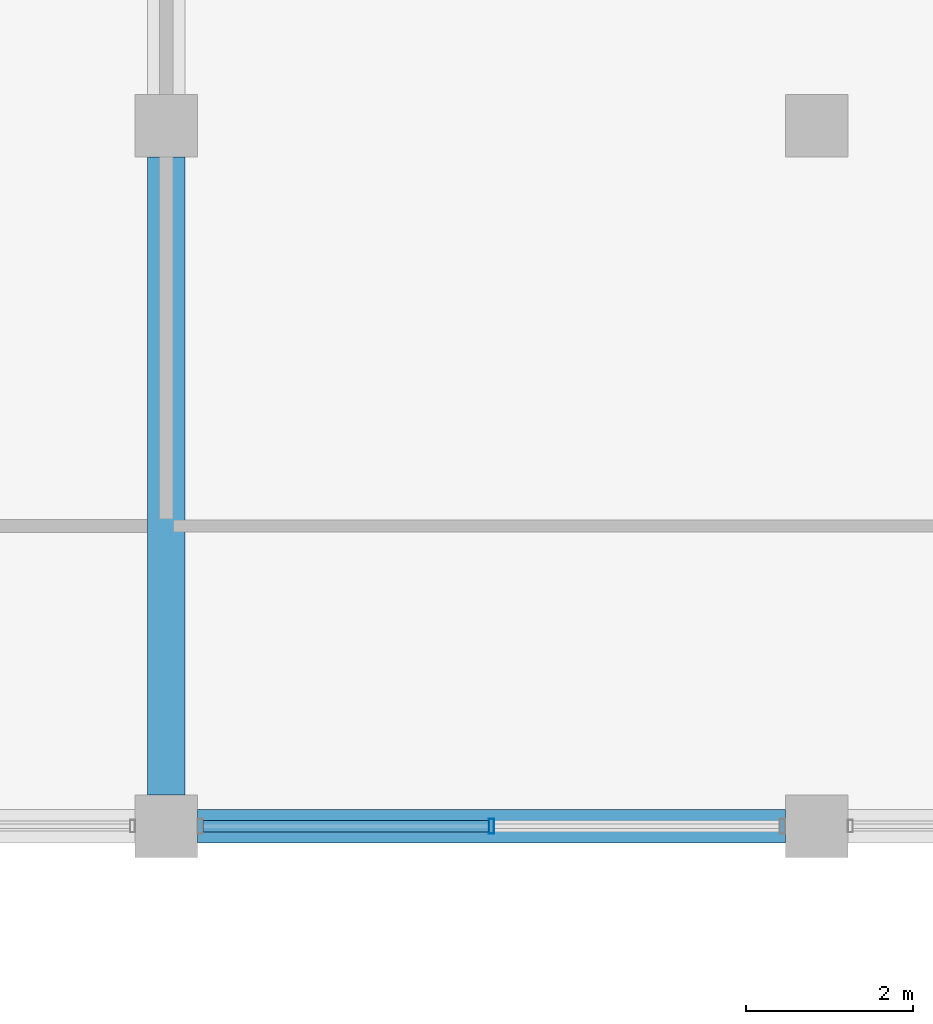
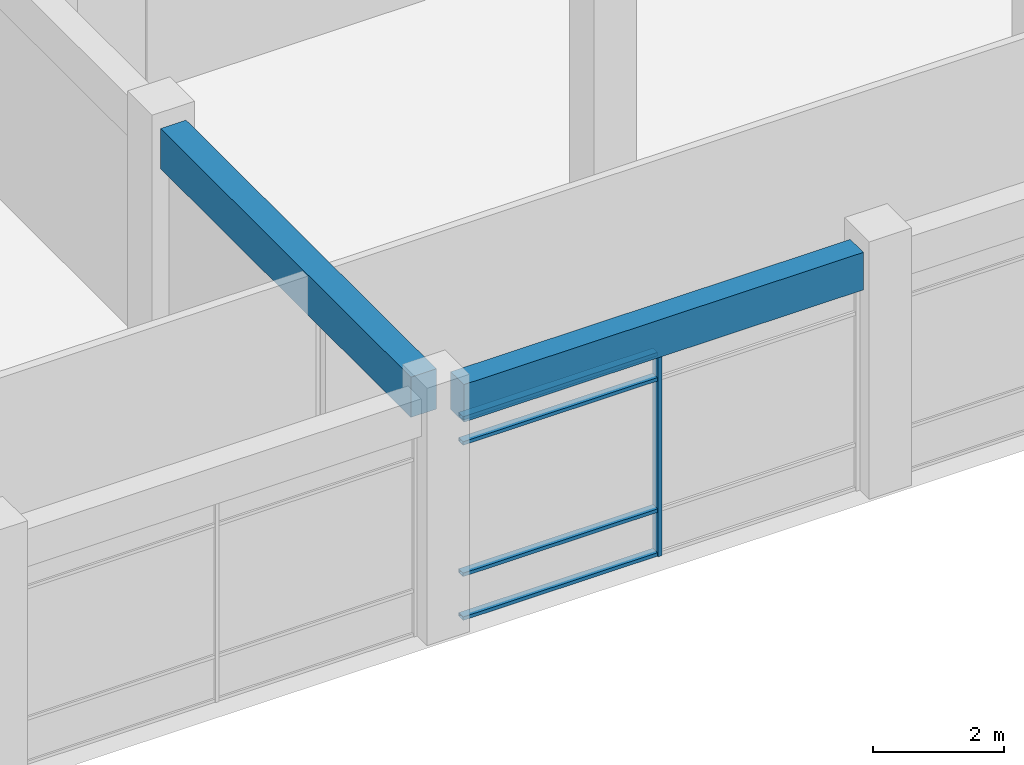
# One storey, part 20 of 62: 5 members, 2 beams, 1 element without a shape of its own.
"""IFC4 building model written with IfcOpenShell, lengths in metres."""

from ifc_helpers import new_model, si_unit, direction, frame, origin, origin_2d, place, context, subcontext, project, spatial, rectangle, hollow_rectangle, extrude, material, material_profile, profile_set, type_object, element, aggregate, save


model = new_model("IFC4")

# Units and contexts
model_context = context("Model", 3, precision=1e-05, world=origin(), true_north=direction((0.0, 1.0)))
body_context = subcontext(model_context, "Body", "Model", "MODEL_VIEW")
ifc_project = project(units=[si_unit("LENGTHUNIT", "METRE"), si_unit("AREAUNIT", "SQUARE_METRE"), si_unit("VOLUMEUNIT", "CUBIC_METRE"), si_unit("PLANEANGLEUNIT", "RADIAN"), si_unit("MASSUNIT", "GRAM", prefix="KILO"), si_unit("THERMODYNAMICTEMPERATUREUNIT", "KELVIN"), si_unit("POWERUNIT", "WATT")], contexts=[model_context])

# Site, building, storey
site_placement = place(None, origin())
site = spatial("IfcSite", under=ifc_project, at=site_placement, CompositionType="ELEMENT")
building_placement = place(site_placement, origin())
building = spatial("IfcBuilding", under=site, at=building_placement, Name="Srebrne Nadtorze General Hospital", CompositionType="ELEMENT")
storey_placement = place(building_placement, frame((0.0, 0.0, 9.60009765625)))
storey = spatial("IfcBuildingStorey", under=building, at=storey_placement, Name="L02", CompositionType="ELEMENT", Elevation=9.60009765625)

# Curtain wall, members
ifc_material_1 = material(Name="Anodised Aluminium", Category="aluminium")
curtain_wall_type = type_object("IfcCurtainWallType", Name="Unitised curtain wall 7050x3800", PredefinedType="NOTDEFINED", material=ifc_material_1)
curtain_wall_placement = place(storey_placement, origin())
curtain_wall = element("IfcCurtainWall", 1, at=curtain_wall_placement, inside=storey, type_object=curtain_wall_type, Name="Curtain wall CW-079", PredefinedType="NOTDEFINED")
ifc_material_2 = material(Name="Anodised Aluminium", Category="aluminium")
ifc_material_profile_1 = material_profile(ifc_material_2, hollow_rectangle(XDim=0.06494140625, YDim=0.179931640625, WallThickness=0.00390625, at=origin_2d()), Name="AL-MUL-65x180")
ifc_profile_set_1 = profile_set([ifc_material_profile_1], Name="Anodised Aluminium")
member_type_1 = type_object("IfcMemberType", Name="Curtain mullion 65x180", PredefinedType="MULLION", material=ifc_profile_set_1)
member_1_placement = place(storey_placement, frame((81.89990234375, 50.39990234375, 0.0), z_axis=(0.0, 0.0, 1.0), x_axis=(1.0, 0.0, 0.0)))
member_1 = element("IfcMember", 2, at=member_1_placement, type_object=member_type_1, Name="CW-079 mullion 2", PredefinedType="MULLION", context=body_context, shape_type="SweptSolid", body=[
    extrude(hollow_rectangle(XDim=0.06494140625, YDim=0.179931640625, WallThickness=0.00390625, at=origin_2d()), origin(), (0.0, 0.0, 1.0), 3.7998046875),
])
ifc_material_3 = material(Name="Anodised Aluminium", Category="aluminium")
ifc_material_profile_2 = material_profile(ifc_material_3, hollow_rectangle(XDim=0.06494140625, YDim=0.139892578125, WallThickness=0.00390625, at=origin_2d()), Name="AL-TRN-65x140")
ifc_profile_set_2 = profile_set([ifc_material_profile_2], Name="Anodised Aluminium")
member_type_2 = type_object("IfcMemberType", Name="Curtain transom 65x140", PredefinedType="USERDEFINED", material=ifc_profile_set_2)
member_2_placement = place(storey_placement, frame((78.43994140625, 50.39990234375, 0.032470703125), z_axis=(1.0, 0.0, 0.0), x_axis=(0.0, 0.0, 1.0)))
member_2 = element("IfcMember", 3, at=member_2_placement, type_object=member_type_2, Name="CW-079 transom 1.1", ObjectType="TRANSOM", PredefinedType="USERDEFINED", context=body_context, shape_type="SweptSolid", body=[
    extrude(hollow_rectangle(XDim=0.06494140625, YDim=0.139892578125, WallThickness=0.00390625, at=origin_2d()), origin(), (0.0, 0.0, 1.0), 3.427490234375),
])
member_3_placement = place(storey_placement, frame((78.43994140625, 50.39990234375, 0.849853515625), z_axis=(1.0, 0.0, 0.0), x_axis=(0.0, 0.0, 1.0)))
member_3 = element("IfcMember", 4, at=member_3_placement, type_object=member_type_2, Name="CW-079 transom 1.2", ObjectType="TRANSOM", PredefinedType="USERDEFINED", context=body_context, shape_type="SweptSolid", body=[
    extrude(hollow_rectangle(XDim=0.06494140625, YDim=0.139892578125, WallThickness=0.00390625, at=origin_2d()), origin(), (0.0, 0.0, 1.0), 3.427490234375),
])
member_4_placement = place(storey_placement, frame((78.43994140625, 50.39990234375, 3.2998046875), z_axis=(1.0, 0.0, 0.0), x_axis=(0.0, 0.0, 1.0)))
member_4 = element("IfcMember", 5, at=member_4_placement, type_object=member_type_2, Name="CW-079 transom 1.3", ObjectType="TRANSOM", PredefinedType="USERDEFINED", context=body_context, shape_type="SweptSolid", body=[
    extrude(hollow_rectangle(XDim=0.06494140625, YDim=0.139892578125, WallThickness=0.00390625, at=origin_2d()), origin(), (0.0, 0.0, 1.0), 3.427490234375),
])
member_5_placement = place(storey_placement, frame((78.43994140625, 50.39990234375, 3.767333984375), z_axis=(1.0, 0.0, 0.0), x_axis=(0.0, 0.0, 1.0)))
member_5 = element("IfcMember", 6, at=member_5_placement, type_object=member_type_2, Name="CW-079 transom 1.4", ObjectType="TRANSOM", PredefinedType="USERDEFINED", context=body_context, shape_type="SweptSolid", body=[
    extrude(hollow_rectangle(XDim=0.06494140625, YDim=0.139892578125, WallThickness=0.00390625, at=origin_2d()), origin(), (0.0, 0.0, 1.0), 3.427490234375),
])
aggregate(curtain_wall, [member_1, member_2, member_3, member_4, member_5])

# Beams
ifc_material_4 = material(Name="Concrete C40/50", Category="concrete")
ifc_material_profile_3 = material_profile(ifc_material_4, rectangle(XDim=0.39990234375, YDim=0.699951171875, at=origin_2d()), Name="RC-BM-400x700")
ifc_profile_set_3 = profile_set([ifc_material_profile_3], Name="Concrete C40/50")
beam_type_1 = type_object("IfcBeamType", Name="Edge beam RC 400x700", PredefinedType="BEAM", material=ifc_profile_set_3)
beam_1_placement = place(storey_placement, frame((78.375, 50.39990234375, 4.14990234375), z_axis=(1.0, 0.0, 0.0), x_axis=(0.0, 1.0, 0.0)))
element("IfcBeam", 7, at=beam_1_placement, inside=storey, type_object=beam_type_1, Name="Beam BM-L02-X-0585", PredefinedType="BEAM", context=body_context, shape_type="SweptSolid", body=[
    extrude(rectangle(XDim=0.39990234375, YDim=0.699951171875, at=origin_2d()), origin(), (0.0, 0.0, 1.0), 7.050048828125),
])
ifc_material_5 = material(Name="Concrete C40/50", Category="concrete")
ifc_material_profile_4 = material_profile(ifc_material_5, rectangle(XDim=0.449951171875, YDim=0.75, at=origin_2d()), Name="RC-BM-450x750")
ifc_profile_set_4 = profile_set([ifc_material_profile_4], Name="Concrete C40/50")
beam_type_2 = type_object("IfcBeamType", Name="Primary beam RC 450x750", PredefinedType="BEAM", material=ifc_profile_set_4)
beam_2_placement = place(storey_placement, frame((78.0, 50.77490234375, 4.125), z_axis=(0.0, 1.0, 0.0), x_axis=(-1.0, 0.0, 0.0)))
element("IfcBeam", 8, at=beam_2_placement, inside=storey, type_object=beam_type_2, Name="Beam BM-L02-Y-0667", PredefinedType="BEAM", context=body_context, shape_type="SweptSolid", body=[
    extrude(rectangle(XDim=0.449951171875, YDim=0.75, at=origin_2d()), origin(), (0.0, 0.0, 1.0), 7.650146484375),
])

save(model, "model.ifc")
